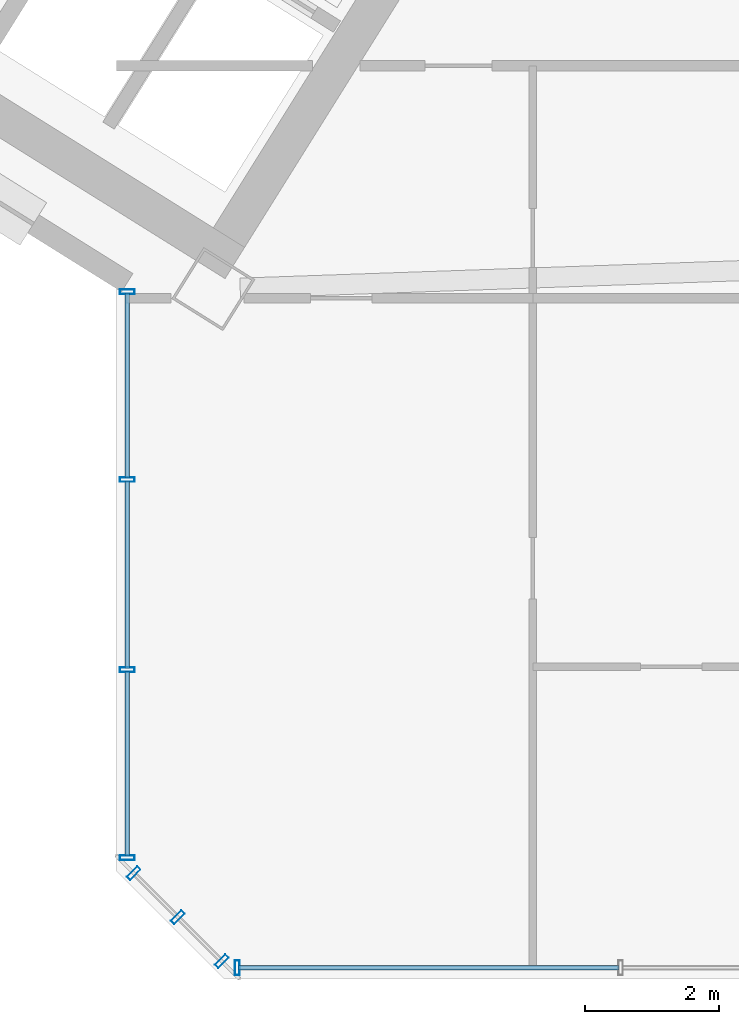
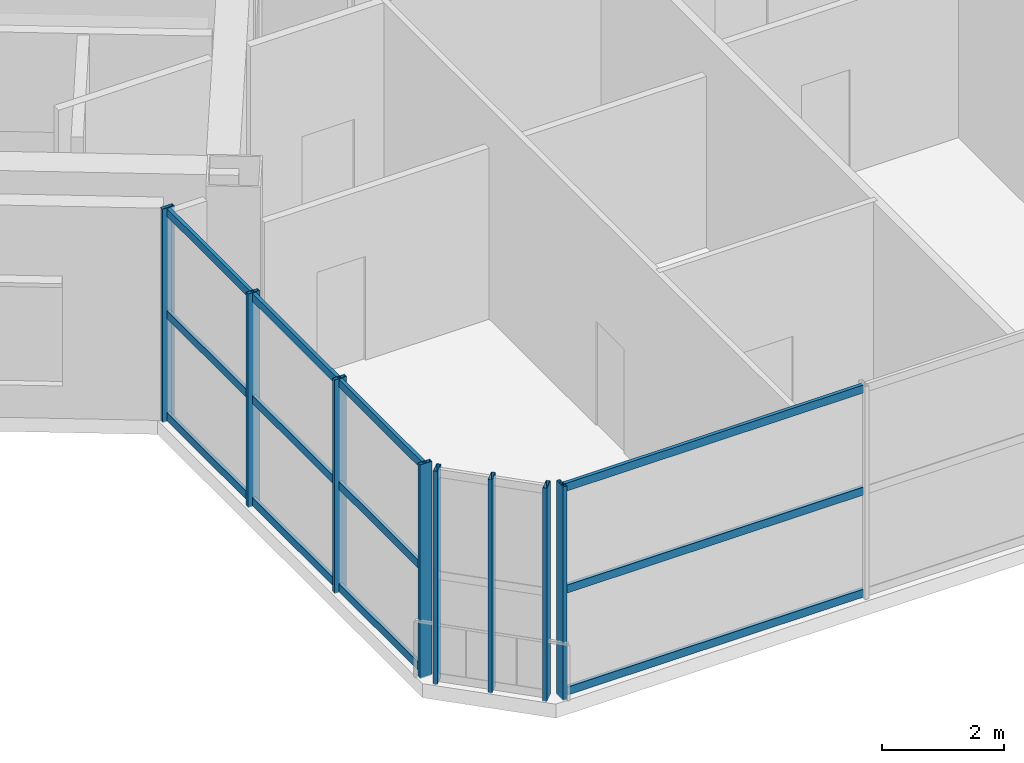
# One storey, part 4 of 21: 20 members, 3 elements without a shape of their own.
"""IFC4 building model written with IfcOpenShell, lengths in metres."""

from ifc_helpers import new_model, si_unit, direction, frame, origin, origin_2d, place, context, subcontext, project, spatial, hollow_rectangle, extrude, source, transform, mapped, material, material_profile, profile_set, type_object, element, aggregate, save


model = new_model("IFC4")

# Units and contexts
model_context = context("Model", 3, precision=1e-05, world=origin(), true_north=direction((0.0, 1.0)))
body_context = subcontext(model_context, "Body", "Model", "MODEL_VIEW")
ifc_project = project(units=[si_unit("LENGTHUNIT", "METRE"), si_unit("AREAUNIT", "SQUARE_METRE"), si_unit("VOLUMEUNIT", "CUBIC_METRE"), si_unit("PLANEANGLEUNIT", "RADIAN"), si_unit("MASSUNIT", "GRAM", prefix="KILO")], contexts=[model_context])

# Site, building, storey
site_placement = place(None, origin())
site = spatial("IfcSite", under=ifc_project, at=site_placement, CompositionType="ELEMENT")
building_placement = place(site_placement, origin())
building = spatial("IfcBuilding", under=site, at=building_placement, Name="Tlacorven Tower", CompositionType="ELEMENT")
storey_placement = place(building_placement, frame((0.0, 0.0, 100.800048828125)))
storey = spatial("IfcBuildingStorey", under=building, at=storey_placement, Name="L25", CompositionType="ELEMENT", Elevation=100.800048828125)

# Curtain wall, member
ifc_material_1 = material(Name="Dark solar low-E double glazing in aluminium frame", Category="aluminium")
curtain_wall_type = type_object("IfcCurtainWallType", Name="CW-COM-AMENITY", PredefinedType="USERDEFINED", material=ifc_material_1)
curtain_wall_1_placement = place(storey_placement, origin())
curtain_wall_1 = element("IfcCurtainWall", 1, at=curtain_wall_1_placement, inside=storey, type_object=curtain_wall_type, Name="L25 CW-COM-AMENITY Curtain Wall 128", ObjectType="UNITISED CURTAIN WALL", PredefinedType="USERDEFINED")
ifc_material_2 = material(Name="Aluminium 6063-T6 anodised", Category="aluminium")
ifc_material_profile_1 = material_profile(ifc_material_2, hollow_rectangle(XDim=0.070068359375, YDim=0.219970703125, WallThickness=0.0048828125, at=origin_2d()), Name="ALU MULLION 70X220")
ifc_profile_set_1 = profile_set([ifc_material_profile_1], Name="Aluminium 6063-T6 anodised")
member_type_1 = type_object("IfcMemberType", Name="CWM-01", PredefinedType="MULLION", material=ifc_profile_set_1)
shared_shape_1 = source(origin(), body_context, "Body", "SweptSolid", [
    extrude(hollow_rectangle(XDim=0.070068359375, YDim=0.219970703125, WallThickness=0.0048828125, at=origin_2d()), origin(), (0.0, 0.0, 1.0), 4.280029296875),
])
member_1_placement = place(storey_placement, frame((33.4013671875, 1.9599609375, -0.02001953125), z_axis=(0.0, 0.0, 1.0), x_axis=(-1.0, 0.0, 0.0)))
member_1 = element("IfcMember", 2, at=member_1_placement, type_object=member_type_1, Name="CW-L25-128 Mullion 4", PredefinedType="MULLION", context=body_context, shape_type="MappedRepresentation", body=[
    mapped(shared_shape_1, transform((0.0, 0.0, 0.0), scale=1.0)),
])

# Curtain wall, members
curtain_wall_2_placement = place(storey_placement, origin())
curtain_wall_2 = element("IfcCurtainWall", 3, at=curtain_wall_2_placement, inside=storey, type_object=curtain_wall_type, Name="L25 CW-COM-AMENITY Curtain Wall 129", ObjectType="UNITISED CURTAIN WALL", PredefinedType="USERDEFINED")
member_2_placement = place(storey_placement, frame((33.1708984375, 2.055419921875, -0.02001953125), z_axis=(0.0, 0.0, 1.0), x_axis=(-0.707106781187, 0.707106781187, 0.0)))
member_2 = element("IfcMember", 4, at=member_2_placement, type_object=member_type_1, Name="CW-L25-129 Mullion 1", PredefinedType="MULLION", context=body_context, shape_type="MappedRepresentation", body=[
    mapped(shared_shape_1, transform((0.0, 0.0, 0.0), scale=1.0)),
])
member_3_placement = place(storey_placement, frame((32.51318359375, 2.713134765625, -0.02001953125), z_axis=(0.0, 0.0, 1.0), x_axis=(-0.707106781187, 0.707106781187, 0.0)))
member_3 = element("IfcMember", 5, at=member_3_placement, type_object=member_type_1, Name="CW-L25-129 Mullion 2", PredefinedType="MULLION", context=body_context, shape_type="MappedRepresentation", body=[
    mapped(shared_shape_1, transform((0.0, 0.0, 0.0), scale=1.0)),
])
member_4_placement = place(storey_placement, frame((31.85546875, 3.370849609375, -0.02001953125), z_axis=(0.0, 0.0, 1.0), x_axis=(-0.707106781187, 0.707106781187, 0.0)))
member_4 = element("IfcMember", 6, at=member_4_placement, type_object=member_type_1, Name="CW-L25-129 Mullion 3", PredefinedType="MULLION", context=body_context, shape_type="MappedRepresentation", body=[
    mapped(shared_shape_1, transform((0.0, 0.0, 0.0), scale=1.0)),
])
aggregate(curtain_wall_2, [member_2, member_3, member_4])

curtain_wall_3_placement = place(storey_placement, origin())
curtain_wall_3 = element("IfcCurtainWall", 7, at=curtain_wall_3_placement, inside=storey, type_object=curtain_wall_type, Name="L25 CW-COM-AMENITY Curtain Wall 130", ObjectType="UNITISED CURTAIN WALL", PredefinedType="USERDEFINED")
member_5_placement = place(storey_placement, frame((31.760009765625, 3.601318359375, -0.02001953125), z_axis=(0.0, 0.0, 1.0), x_axis=(0.0, 1.0, 0.0)))
member_5 = element("IfcMember", 8, at=member_5_placement, type_object=member_type_1, Name="CW-L25-130 Mullion 1", PredefinedType="MULLION", context=body_context, shape_type="MappedRepresentation", body=[
    mapped(shared_shape_1, transform((0.0, 0.0, 0.0), scale=1.0)),
])
member_6_placement = place(storey_placement, frame((31.760009765625, 6.4052734375, -0.02001953125), z_axis=(0.0, 0.0, 1.0), x_axis=(0.0, 1.0, 0.0)))
member_6 = element("IfcMember", 9, at=member_6_placement, type_object=member_type_1, Name="CW-L25-130 Mullion 2", PredefinedType="MULLION", context=body_context, shape_type="MappedRepresentation", body=[
    mapped(shared_shape_1, transform((0.0, 0.0, 0.0), scale=1.0)),
])
member_7_placement = place(storey_placement, frame((31.760009765625, 9.244140625, -0.02001953125), z_axis=(0.0, 0.0, 1.0), x_axis=(0.0, 1.0, 0.0)))
member_7 = element("IfcMember", 10, at=member_7_placement, type_object=member_type_1, Name="CW-L25-130 Mullion 3", PredefinedType="MULLION", context=body_context, shape_type="MappedRepresentation", body=[
    mapped(shared_shape_1, transform((0.0, 0.0, 0.0), scale=1.0)),
])
member_8_placement = place(storey_placement, frame((31.760009765625, 12.048095703125, -0.02001953125), z_axis=(0.0, 0.0, 1.0), x_axis=(0.0, 1.0, 0.0)))
member_8 = element("IfcMember", 11, at=member_8_placement, type_object=member_type_1, Name="CW-L25-130 Mullion 4", PredefinedType="MULLION", context=body_context, shape_type="MappedRepresentation", body=[
    mapped(shared_shape_1, transform((0.0, 0.0, 0.0), scale=1.0)),
])

# Member
ifc_material_profile_2 = material_profile(ifc_material_2, hollow_rectangle(XDim=0.06494140625, YDim=0.159912109375, WallThickness=0.00390625, at=origin_2d()), Name="ALU TRANSOM 65X160")
ifc_profile_set_2 = profile_set([ifc_material_profile_2], Name="Aluminium 6063-T6 anodised")
member_type_2 = type_object("IfcMemberType", Name="CWT-01", PredefinedType="USERDEFINED", material=ifc_profile_set_2)
shared_shape_2 = source(origin(), body_context, "Body", "SweptSolid", [
    extrude(hollow_rectangle(XDim=0.06494140625, YDim=0.159912109375, WallThickness=0.00390625, at=origin_2d()), origin(), (0.0, 0.0, 1.0), 5.6748046875),
])
member_9_placement = place(storey_placement, frame((39.09912109375, 1.9599609375, 0.079833984375), z_axis=(-1.0, 0.0, 0.0), x_axis=(0.0, -1.0, 0.0)))
member_9 = element("IfcMember", 12, at=member_9_placement, type_object=member_type_2, Name="CW-L25-128 Transom 7", ObjectType="TRANSOM", PredefinedType="USERDEFINED", context=body_context, shape_type="MappedRepresentation", body=[
    mapped(shared_shape_2, transform((0.0, 0.0, 0.0), scale=1.0)),
])

member_10_placement = place(storey_placement, frame((39.09912109375, 1.9599609375, 2.125), z_axis=(-1.0, 0.0, 0.0), x_axis=(0.0, -1.0, 0.0)))
member_10 = element("IfcMember", 13, at=member_10_placement, type_object=member_type_2, Name="CW-L25-128 Transom 8", ObjectType="TRANSOM", PredefinedType="USERDEFINED", context=body_context, shape_type="MappedRepresentation", body=[
    mapped(shared_shape_2, transform((0.0, 0.0, 0.0), scale=1.0)),
])

member_11_placement = place(storey_placement, frame((39.09912109375, 1.9599609375, 4.169921875), z_axis=(-1.0, 0.0, 0.0), x_axis=(0.0, -1.0, 0.0)))
member_11 = element("IfcMember", 14, at=member_11_placement, type_object=member_type_2, Name="CW-L25-128 Transom 9", ObjectType="TRANSOM", PredefinedType="USERDEFINED", context=body_context, shape_type="MappedRepresentation", body=[
    mapped(shared_shape_2, transform((0.0, 0.0, 0.0), scale=1.0)),
])

aggregate(curtain_wall_1, [member_1, member_9, member_10, member_11])

shared_shape_3 = source(origin(), body_context, "Body", "SweptSolid", [
    extrude(hollow_rectangle(XDim=0.06494140625, YDim=0.159912109375, WallThickness=0.00390625, at=origin_2d()), origin(), (0.0, 0.0, 1.0), 2.7578125),
])
member_12_placement = place(storey_placement, frame((31.760009765625, 3.624267578125, 0.079833984375), z_axis=(0.0, 1.0, 0.0), x_axis=(-1.0, 0.0, 0.0)))
member_12 = element("IfcMember", 15, at=member_12_placement, type_object=member_type_2, Name="CW-L25-130 Transom 1", ObjectType="TRANSOM", PredefinedType="USERDEFINED", context=body_context, shape_type="MappedRepresentation", body=[
    mapped(shared_shape_3, transform((0.0, 0.0, 0.0), scale=1.0)),
])

member_13_placement = place(storey_placement, frame((31.760009765625, 3.624267578125, 2.125), z_axis=(0.0, 1.0, 0.0), x_axis=(-1.0, 0.0, 0.0)))
member_13 = element("IfcMember", 16, at=member_13_placement, type_object=member_type_2, Name="CW-L25-130 Transom 2", ObjectType="TRANSOM", PredefinedType="USERDEFINED", context=body_context, shape_type="MappedRepresentation", body=[
    mapped(shared_shape_3, transform((0.0, 0.0, 0.0), scale=1.0)),
])

member_14_placement = place(storey_placement, frame((31.760009765625, 3.624267578125, 4.169921875), z_axis=(0.0, 1.0, 0.0), x_axis=(-1.0, 0.0, 0.0)))
member_14 = element("IfcMember", 17, at=member_14_placement, type_object=member_type_2, Name="CW-L25-130 Transom 3", ObjectType="TRANSOM", PredefinedType="USERDEFINED", context=body_context, shape_type="MappedRepresentation", body=[
    mapped(shared_shape_3, transform((0.0, 0.0, 0.0), scale=1.0)),
])

shared_shape_4 = source(origin(), body_context, "Body", "SweptSolid", [
    extrude(hollow_rectangle(XDim=0.06494140625, YDim=0.159912109375, WallThickness=0.00390625, at=origin_2d()), origin(), (0.0, 0.0, 1.0), 2.79296875),
])
member_15_placement = place(storey_placement, frame((31.760009765625, 6.42822265625, 0.079833984375), z_axis=(0.0, 1.0, 0.0), x_axis=(-1.0, 0.0, 0.0)))
member_15 = element("IfcMember", 18, at=member_15_placement, type_object=member_type_2, Name="CW-L25-130 Transom 4", ObjectType="TRANSOM", PredefinedType="USERDEFINED", context=body_context, shape_type="MappedRepresentation", body=[
    mapped(shared_shape_4, transform((0.0, 0.0, 0.0), scale=1.0)),
])

member_16_placement = place(storey_placement, frame((31.760009765625, 6.42822265625, 2.125), z_axis=(0.0, 1.0, 0.0), x_axis=(-1.0, 0.0, 0.0)))
member_16 = element("IfcMember", 19, at=member_16_placement, type_object=member_type_2, Name="CW-L25-130 Transom 5", ObjectType="TRANSOM", PredefinedType="USERDEFINED", context=body_context, shape_type="MappedRepresentation", body=[
    mapped(shared_shape_4, transform((0.0, 0.0, 0.0), scale=1.0)),
])

member_17_placement = place(storey_placement, frame((31.760009765625, 6.42822265625, 4.169921875), z_axis=(0.0, 1.0, 0.0), x_axis=(-1.0, 0.0, 0.0)))
member_17 = element("IfcMember", 20, at=member_17_placement, type_object=member_type_2, Name="CW-L25-130 Transom 6", ObjectType="TRANSOM", PredefinedType="USERDEFINED", context=body_context, shape_type="MappedRepresentation", body=[
    mapped(shared_shape_4, transform((0.0, 0.0, 0.0), scale=1.0)),
])

shared_shape_5 = source(origin(), body_context, "Body", "SweptSolid", [
    extrude(hollow_rectangle(XDim=0.06494140625, YDim=0.159912109375, WallThickness=0.00390625, at=origin_2d()), origin(), (0.0, 0.0, 1.0), 2.758056640625),
])
member_18_placement = place(storey_placement, frame((31.760009765625, 9.26708984375, 0.079833984375), z_axis=(0.0, 1.0, 0.0), x_axis=(-1.0, 0.0, 0.0)))
member_18 = element("IfcMember", 21, at=member_18_placement, type_object=member_type_2, Name="CW-L25-130 Transom 7", ObjectType="TRANSOM", PredefinedType="USERDEFINED", context=body_context, shape_type="MappedRepresentation", body=[
    mapped(shared_shape_5, transform((0.0, 0.0, 0.0), scale=1.0)),
])

member_19_placement = place(storey_placement, frame((31.760009765625, 9.26708984375, 2.125), z_axis=(0.0, 1.0, 0.0), x_axis=(-1.0, 0.0, 0.0)))
member_19 = element("IfcMember", 22, at=member_19_placement, type_object=member_type_2, Name="CW-L25-130 Transom 8", ObjectType="TRANSOM", PredefinedType="USERDEFINED", context=body_context, shape_type="MappedRepresentation", body=[
    mapped(shared_shape_5, transform((0.0, 0.0, 0.0), scale=1.0)),
])

member_20_placement = place(storey_placement, frame((31.760009765625, 9.26708984375, 4.169921875), z_axis=(0.0, 1.0, 0.0), x_axis=(-1.0, 0.0, 0.0)))
member_20 = element("IfcMember", 23, at=member_20_placement, type_object=member_type_2, Name="CW-L25-130 Transom 9", ObjectType="TRANSOM", PredefinedType="USERDEFINED", context=body_context, shape_type="MappedRepresentation", body=[
    mapped(shared_shape_5, transform((0.0, 0.0, 0.0), scale=1.0)),
])

aggregate(curtain_wall_3, [member_5, member_6, member_7, member_8, member_12, member_13, member_14, member_15, member_16, member_17, member_18, member_19, member_20])

save(model, "model.ifc")
